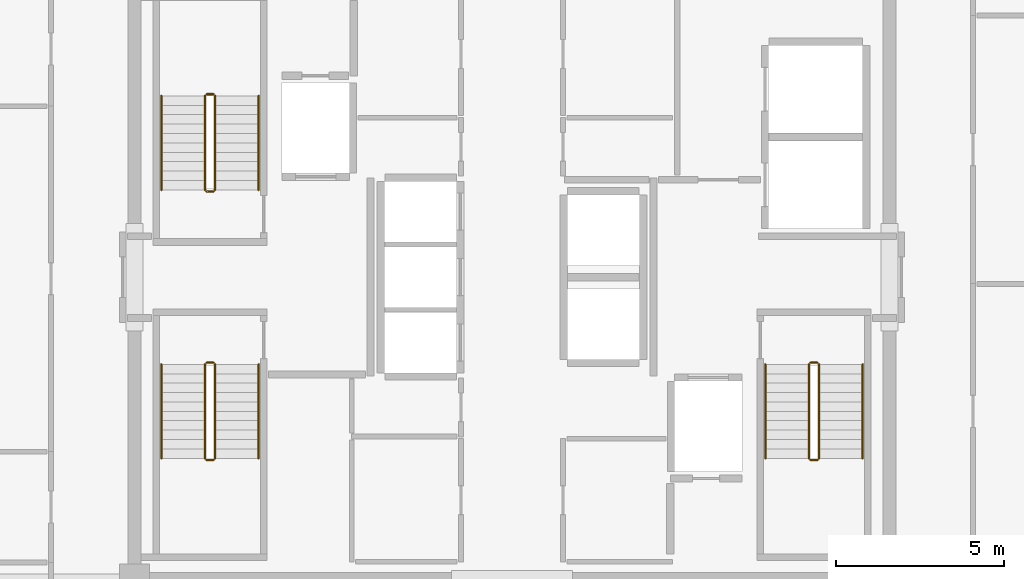
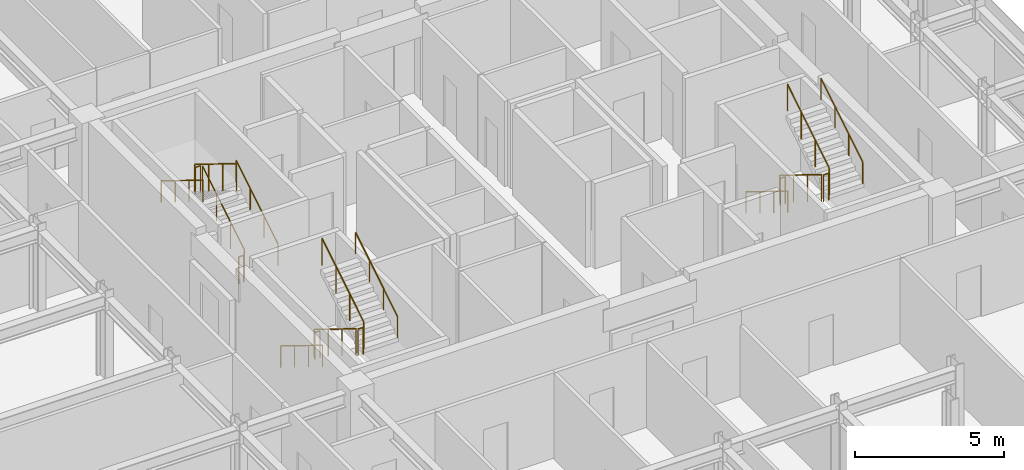
# One storey, part 16 of 16: 18 railings.
"""IFC4 building model written with IfcOpenShell, lengths in metres."""

from ifc_helpers import new_model, si_unit, direction, frame, origin, origin_2d, place, context, subcontext, project, spatial, circle, extrude, material, type_object, element, save


model = new_model("IFC4")

# Units and contexts
model_context = context("Model", 3, precision=1e-05, world=origin(), true_north=direction((0.0, 1.0)))
body_context = subcontext(model_context, "Body", "Model", "MODEL_VIEW")
ifc_project = project(units=[si_unit("LENGTHUNIT", "METRE"), si_unit("AREAUNIT", "SQUARE_METRE"), si_unit("VOLUMEUNIT", "CUBIC_METRE"), si_unit("PLANEANGLEUNIT", "RADIAN"), si_unit("MASSUNIT", "GRAM", prefix="KILO")], contexts=[model_context])

# Site, building, storey
site_placement = place(None, origin())
site = spatial("IfcSite", under=ifc_project, at=site_placement, CompositionType="ELEMENT")
building_placement = place(site_placement, origin())
building = spatial("IfcBuilding", under=site, at=building_placement, Name="Nefas-Gora Pilgrimage Tower", CompositionType="ELEMENT")
storey_placement = place(building_placement, frame((0.0, 0.0, 345.199951171875)))
storey = spatial("IfcBuildingStorey", under=building, at=storey_placement, Name="L87", CompositionType="ELEMENT", Elevation=345.199951171875)

# Railings
ifc_material_1 = material(Name="Painted galvanised steel", Category="steel")
railing_type_1 = type_object("IfcRailingType", Name="RLG-STR-GUARD-1100", PredefinedType="GUARDRAIL", material=ifc_material_1)
railing_1_placement = place(storey_placement, frame((-8.85009765625, 2.60009765625, 0.1728515625)))
element("IfcRailing", 1, at=railing_1_placement, inside=storey, type_object=railing_type_1, Name="L87 ST-01 stair guard 1", PredefinedType="GUARDRAIL", context=body_context, shape_type="SweptSolid", body=[
    extrude(circle(Radius=0.02392578125, at=origin_2d()), frame((0.0, 0.0, 1.09619140625), z_axis=(0.0, 0.851069175582, 0.525053576669), x_axis=(-1.0, 0.0, 0.0)), (0.0, 0.0, 1.0), 3.289794921875),
    extrude(circle(Radius=0.02099609375, at=origin_2d()), origin(), (0.0, 0.0, 1.0), 1.072021484375),
    extrude(circle(Radius=0.02099609375, at=origin_2d()), frame((0.0, 0.933349609375, 0.57568359375)), (0.0, 0.0, 1.0), 1.072021484375),
    extrude(circle(Radius=0.02099609375, at=origin_2d()), frame((0.0, 1.866455078125, 1.151611328125)), (0.0, 0.0, 1.0), 1.072021484375),
    extrude(circle(Radius=0.02099609375, at=origin_2d()), frame((0.0, 2.7998046875, 1.727294921875)), (0.0, 0.0, 1.0), 1.072021484375),
])
railing_2_placement = place(storey_placement, frame((-8.89990234375, 5.449951171875, 1.900146484375)))
element("IfcRailing", 2, at=railing_2_placement, inside=storey, type_object=railing_type_1, Name="L87 ST-01 stair guard 2", PredefinedType="GUARDRAIL", context=body_context, shape_type="SweptSolid", body=[
    extrude(circle(Radius=0.02392578125, at=origin_2d()), frame((0.0, 0.0, 1.09619140625), z_axis=(-1.0, 0.0, 0.0), x_axis=(0.0, -1.0, 0.0)), (0.0, 0.0, 1.0), 0.2001953125),
    extrude(circle(Radius=0.02099609375, at=origin_2d()), origin(), (0.0, 0.0, 1.0), 1.072021484375),
    extrude(circle(Radius=0.02099609375, at=origin_2d()), frame((-0.2001953125, 0.0, 0.0)), (0.0, 0.0, 1.0), 1.072021484375),
])
railing_3_placement = place(storey_placement, frame((-9.14990234375, 5.39990234375, 2.07275390625)))
element("IfcRailing", 3, at=railing_3_placement, inside=storey, type_object=railing_type_1, Name="L87 ST-01 stair guard 3", PredefinedType="GUARDRAIL", context=body_context, shape_type="SweptSolid", body=[
    extrude(circle(Radius=0.02392578125, at=origin_2d()), frame((0.0, 0.0, 1.09619140625), z_axis=(0.0, -0.851069175582, 0.525053576669), x_axis=(1.0, 0.0, 0.0)), (0.0, 0.0, 1.0), 3.289794921875),
    extrude(circle(Radius=0.02099609375, at=origin_2d()), origin(), (0.0, 0.0, 1.0), 1.072021484375),
    extrude(circle(Radius=0.02099609375, at=origin_2d()), frame((0.0, -0.933349609375, 0.57568359375)), (0.0, 0.0, 1.0), 1.072021484375),
    extrude(circle(Radius=0.02099609375, at=origin_2d()), frame((0.0, -1.866455078125, 1.151611328125)), (0.0, 0.0, 1.0), 1.072021484375),
    extrude(circle(Radius=0.02099609375, at=origin_2d()), frame((0.0, -2.7998046875, 1.727294921875)), (0.0, 0.0, 1.0), 1.072021484375),
])
railing_4_placement = place(storey_placement, frame((-8.89990234375, 2.550048828125, 0.0)))
element("IfcRailing", 4, at=railing_4_placement, inside=storey, type_object=railing_type_1, Name="L87 ST-01 stair guard 4", PredefinedType="GUARDRAIL", context=body_context, shape_type="SweptSolid", body=[
    extrude(circle(Radius=0.02392578125, at=origin_2d()), frame((0.0, 0.0, 1.09619140625), z_axis=(-1.0, 0.0, 0.0), x_axis=(0.0, -1.0, 0.0)), (0.0, 0.0, 1.0), 0.2001953125),
    extrude(circle(Radius=0.02099609375, at=origin_2d()), origin(), (0.0, 0.0, 1.0), 1.072021484375),
    extrude(circle(Radius=0.02099609375, at=origin_2d()), frame((-0.2001953125, 0.0, 0.0)), (0.0, 0.0, 1.0), 1.072021484375),
])
railing_5_placement = place(storey_placement, frame((8.85009765625, -2.60009765625, 0.1728515625)))
element("IfcRailing", 5, at=railing_5_placement, inside=storey, type_object=railing_type_1, Name="L87 ST-02 stair guard 1", PredefinedType="GUARDRAIL", context=body_context, shape_type="SweptSolid", body=[
    extrude(circle(Radius=0.02392578125, at=origin_2d()), frame((0.0, 0.0, 1.09619140625), z_axis=(0.0, -0.851069175582, 0.525053576669), x_axis=(1.0, 0.0, 0.0)), (0.0, 0.0, 1.0), 3.289794921875),
    extrude(circle(Radius=0.02099609375, at=origin_2d()), origin(), (0.0, 0.0, 1.0), 1.072021484375),
    extrude(circle(Radius=0.02099609375, at=origin_2d()), frame((0.0, -0.933349609375, 0.57568359375)), (0.0, 0.0, 1.0), 1.072021484375),
    extrude(circle(Radius=0.02099609375, at=origin_2d()), frame((0.0, -1.866455078125, 1.151611328125)), (0.0, 0.0, 1.0), 1.072021484375),
    extrude(circle(Radius=0.02099609375, at=origin_2d()), frame((0.0, -2.7998046875, 1.727294921875)), (0.0, 0.0, 1.0), 1.072021484375),
])
railing_6_placement = place(storey_placement, frame((8.89990234375, -5.449951171875, 1.900146484375)))
element("IfcRailing", 6, at=railing_6_placement, inside=storey, type_object=railing_type_1, Name="L87 ST-02 stair guard 2", PredefinedType="GUARDRAIL", context=body_context, shape_type="SweptSolid", body=[
    extrude(circle(Radius=0.02392578125, at=origin_2d()), frame((0.0, 0.0, 1.09619140625), z_axis=(1.0, 0.0, 0.0), x_axis=(0.0, 1.0, 0.0)), (0.0, 0.0, 1.0), 0.2001953125),
    extrude(circle(Radius=0.02099609375, at=origin_2d()), origin(), (0.0, 0.0, 1.0), 1.072021484375),
    extrude(circle(Radius=0.02099609375, at=origin_2d()), frame((0.2001953125, 0.0, 0.0)), (0.0, 0.0, 1.0), 1.072021484375),
])
railing_7_placement = place(storey_placement, frame((9.14990234375, -5.39990234375, 2.07275390625)))
element("IfcRailing", 7, at=railing_7_placement, inside=storey, type_object=railing_type_1, Name="L87 ST-02 stair guard 3", PredefinedType="GUARDRAIL", context=body_context, shape_type="SweptSolid", body=[
    extrude(circle(Radius=0.02392578125, at=origin_2d()), frame((0.0, 0.0, 1.09619140625), z_axis=(0.0, 0.851069175582, 0.525053576669), x_axis=(-1.0, 0.0, 0.0)), (0.0, 0.0, 1.0), 3.289794921875),
    extrude(circle(Radius=0.02099609375, at=origin_2d()), origin(), (0.0, 0.0, 1.0), 1.072021484375),
    extrude(circle(Radius=0.02099609375, at=origin_2d()), frame((0.0, 0.933349609375, 0.57568359375)), (0.0, 0.0, 1.0), 1.072021484375),
    extrude(circle(Radius=0.02099609375, at=origin_2d()), frame((0.0, 1.866455078125, 1.151611328125)), (0.0, 0.0, 1.0), 1.072021484375),
    extrude(circle(Radius=0.02099609375, at=origin_2d()), frame((0.0, 2.7998046875, 1.727294921875)), (0.0, 0.0, 1.0), 1.072021484375),
])
railing_8_placement = place(storey_placement, frame((8.89990234375, -2.550048828125, 0.0)))
element("IfcRailing", 8, at=railing_8_placement, inside=storey, type_object=railing_type_1, Name="L87 ST-02 stair guard 4", PredefinedType="GUARDRAIL", context=body_context, shape_type="SweptSolid", body=[
    extrude(circle(Radius=0.02392578125, at=origin_2d()), frame((0.0, 0.0, 1.09619140625), z_axis=(1.0, 0.0, 0.0), x_axis=(0.0, 1.0, 0.0)), (0.0, 0.0, 1.0), 0.2001953125),
    extrude(circle(Radius=0.02099609375, at=origin_2d()), origin(), (0.0, 0.0, 1.0), 1.072021484375),
    extrude(circle(Radius=0.02099609375, at=origin_2d()), frame((0.2001953125, 0.0, 0.0)), (0.0, 0.0, 1.0), 1.072021484375),
])
railing_9_placement = place(storey_placement, frame((-9.14990234375, -2.60009765625, 0.1728515625)))
element("IfcRailing", 9, at=railing_9_placement, inside=storey, type_object=railing_type_1, Name="L87 ST-03 stair guard 1", PredefinedType="GUARDRAIL", context=body_context, shape_type="SweptSolid", body=[
    extrude(circle(Radius=0.02392578125, at=origin_2d()), frame((0.0, 0.0, 1.09619140625), z_axis=(0.0, -0.851069175582, 0.525053576669), x_axis=(1.0, 0.0, 0.0)), (0.0, 0.0, 1.0), 3.289794921875),
    extrude(circle(Radius=0.02099609375, at=origin_2d()), origin(), (0.0, 0.0, 1.0), 1.072021484375),
    extrude(circle(Radius=0.02099609375, at=origin_2d()), frame((0.0, -0.933349609375, 0.57568359375)), (0.0, 0.0, 1.0), 1.072021484375),
    extrude(circle(Radius=0.02099609375, at=origin_2d()), frame((0.0, -1.866455078125, 1.151611328125)), (0.0, 0.0, 1.0), 1.072021484375),
    extrude(circle(Radius=0.02099609375, at=origin_2d()), frame((0.0, -2.7998046875, 1.727294921875)), (0.0, 0.0, 1.0), 1.072021484375),
])
railing_10_placement = place(storey_placement, frame((-9.10009765625, -5.449951171875, 1.900146484375)))
element("IfcRailing", 10, at=railing_10_placement, inside=storey, type_object=railing_type_1, Name="L87 ST-03 stair guard 2", PredefinedType="GUARDRAIL", context=body_context, shape_type="SweptSolid", body=[
    extrude(circle(Radius=0.02392578125, at=origin_2d()), frame((0.0, 0.0, 1.09619140625), z_axis=(1.0, 0.0, 0.0), x_axis=(0.0, 1.0, 0.0)), (0.0, 0.0, 1.0), 0.2001953125),
    extrude(circle(Radius=0.02099609375, at=origin_2d()), origin(), (0.0, 0.0, 1.0), 1.072021484375),
    extrude(circle(Radius=0.02099609375, at=origin_2d()), frame((0.2001953125, 0.0, 0.0)), (0.0, 0.0, 1.0), 1.072021484375),
])
railing_11_placement = place(storey_placement, frame((-8.85009765625, -5.39990234375, 2.07275390625)))
element("IfcRailing", 11, at=railing_11_placement, inside=storey, type_object=railing_type_1, Name="L87 ST-03 stair guard 3", PredefinedType="GUARDRAIL", context=body_context, shape_type="SweptSolid", body=[
    extrude(circle(Radius=0.02392578125, at=origin_2d()), frame((0.0, 0.0, 1.09619140625), z_axis=(0.0, 0.851069175582, 0.525053576669), x_axis=(-1.0, 0.0, 0.0)), (0.0, 0.0, 1.0), 3.289794921875),
    extrude(circle(Radius=0.02099609375, at=origin_2d()), origin(), (0.0, 0.0, 1.0), 1.072021484375),
    extrude(circle(Radius=0.02099609375, at=origin_2d()), frame((0.0, 0.933349609375, 0.57568359375)), (0.0, 0.0, 1.0), 1.072021484375),
    extrude(circle(Radius=0.02099609375, at=origin_2d()), frame((0.0, 1.866455078125, 1.151611328125)), (0.0, 0.0, 1.0), 1.072021484375),
    extrude(circle(Radius=0.02099609375, at=origin_2d()), frame((0.0, 2.7998046875, 1.727294921875)), (0.0, 0.0, 1.0), 1.072021484375),
])
railing_12_placement = place(storey_placement, frame((-9.10009765625, -2.550048828125, 0.0)))
element("IfcRailing", 12, at=railing_12_placement, inside=storey, type_object=railing_type_1, Name="L87 ST-03 stair guard 4", PredefinedType="GUARDRAIL", context=body_context, shape_type="SweptSolid", body=[
    extrude(circle(Radius=0.02392578125, at=origin_2d()), frame((0.0, 0.0, 1.09619140625), z_axis=(1.0, 0.0, 0.0), x_axis=(0.0, 1.0, 0.0)), (0.0, 0.0, 1.0), 0.2001953125),
    extrude(circle(Radius=0.02099609375, at=origin_2d()), origin(), (0.0, 0.0, 1.0), 1.072021484375),
    extrude(circle(Radius=0.02099609375, at=origin_2d()), frame((0.2001953125, 0.0, 0.0)), (0.0, 0.0, 1.0), 1.072021484375),
])
ifc_material_2 = material(Name="Brushed stainless steel", Category="steel")
railing_type_2 = type_object("IfcRailingType", Name="RLG-STR-HAND-900", PredefinedType="HANDRAIL", material=ifc_material_2)
railing_13_placement = place(storey_placement, frame((-7.550048828125, 2.60009765625, 0.1728515625)))
element("IfcRailing", 13, at=railing_13_placement, inside=storey, type_object=railing_type_2, Name="L87 ST-01 stair handrail 1", PredefinedType="HANDRAIL", context=body_context, shape_type="SweptSolid", body=[
    extrude(circle(Radius=0.02392578125, at=origin_2d()), frame((0.0, 0.0, 0.8759765625), z_axis=(0.0, 0.851069175582, 0.525053576669), x_axis=(-1.0, 0.0, 0.0)), (0.0, 0.0, 1.0), 3.289794921875),
    extrude(circle(Radius=0.02099609375, at=origin_2d()), origin(), (0.0, 0.0, 1.0), 0.851806640625),
    extrude(circle(Radius=0.02099609375, at=origin_2d()), frame((0.0, 0.933349609375, 0.57568359375)), (0.0, 0.0, 1.0), 0.851806640625),
    extrude(circle(Radius=0.02099609375, at=origin_2d()), frame((0.0, 1.866455078125, 1.151611328125)), (0.0, 0.0, 1.0), 0.851806640625),
    extrude(circle(Radius=0.02099609375, at=origin_2d()), frame((0.0, 2.7998046875, 1.727294921875)), (0.0, 0.0, 1.0), 0.851806640625),
])
for number, where, name in (
    (14, (-10.449951171875, 5.39990234375, 2.07275390625), "L87 ST-01 stair handrail 2"),
    (15, (7.550048828125, -2.60009765625, 0.1728515625), "L87 ST-02 stair handrail 1"),
):
    element("IfcRailing", number, at=place(storey_placement, frame(where)), inside=storey, type_object=railing_type_2, Name=name, PredefinedType="HANDRAIL", context=body_context, shape_type="SweptSolid", body=[
        extrude(circle(Radius=0.02392578125, at=origin_2d()), frame((0.0, 0.0, 0.8759765625), z_axis=(0.0, -0.851069175582, 0.525053576669), x_axis=(1.0, 0.0, 0.0)), (0.0, 0.0, 1.0), 3.289794921875),
        extrude(circle(Radius=0.02099609375, at=origin_2d()), origin(), (0.0, 0.0, 1.0), 0.851806640625),
        extrude(circle(Radius=0.02099609375, at=origin_2d()), frame((0.0, -0.933349609375, 0.57568359375)), (0.0, 0.0, 1.0), 0.851806640625),
        extrude(circle(Radius=0.02099609375, at=origin_2d()), frame((0.0, -1.866455078125, 1.151611328125)), (0.0, 0.0, 1.0), 0.851806640625),
        extrude(circle(Radius=0.02099609375, at=origin_2d()), frame((0.0, -2.7998046875, 1.727294921875)), (0.0, 0.0, 1.0), 0.851806640625),
    ])
railing_14_placement = place(storey_placement, frame((10.449951171875, -5.39990234375, 2.07275390625)))
element("IfcRailing", 16, at=railing_14_placement, inside=storey, type_object=railing_type_2, Name="L87 ST-02 stair handrail 2", PredefinedType="HANDRAIL", context=body_context, shape_type="SweptSolid", body=[
    extrude(circle(Radius=0.02392578125, at=origin_2d()), frame((0.0, 0.0, 0.8759765625), z_axis=(0.0, 0.851069175582, 0.525053576669), x_axis=(-1.0, 0.0, 0.0)), (0.0, 0.0, 1.0), 3.289794921875),
    extrude(circle(Radius=0.02099609375, at=origin_2d()), origin(), (0.0, 0.0, 1.0), 0.851806640625),
    extrude(circle(Radius=0.02099609375, at=origin_2d()), frame((0.0, 0.933349609375, 0.57568359375)), (0.0, 0.0, 1.0), 0.851806640625),
    extrude(circle(Radius=0.02099609375, at=origin_2d()), frame((0.0, 1.866455078125, 1.151611328125)), (0.0, 0.0, 1.0), 0.851806640625),
    extrude(circle(Radius=0.02099609375, at=origin_2d()), frame((0.0, 2.7998046875, 1.727294921875)), (0.0, 0.0, 1.0), 0.851806640625),
])
railing_15_placement = place(storey_placement, frame((-10.449951171875, -2.60009765625, 0.1728515625)))
element("IfcRailing", 17, at=railing_15_placement, inside=storey, type_object=railing_type_2, Name="L87 ST-03 stair handrail 1", PredefinedType="HANDRAIL", context=body_context, shape_type="SweptSolid", body=[
    extrude(circle(Radius=0.02392578125, at=origin_2d()), frame((0.0, 0.0, 0.8759765625), z_axis=(0.0, -0.851069175582, 0.525053576669), x_axis=(1.0, 0.0, 0.0)), (0.0, 0.0, 1.0), 3.289794921875),
    extrude(circle(Radius=0.02099609375, at=origin_2d()), origin(), (0.0, 0.0, 1.0), 0.851806640625),
    extrude(circle(Radius=0.02099609375, at=origin_2d()), frame((0.0, -0.933349609375, 0.57568359375)), (0.0, 0.0, 1.0), 0.851806640625),
    extrude(circle(Radius=0.02099609375, at=origin_2d()), frame((0.0, -1.866455078125, 1.151611328125)), (0.0, 0.0, 1.0), 0.851806640625),
    extrude(circle(Radius=0.02099609375, at=origin_2d()), frame((0.0, -2.7998046875, 1.727294921875)), (0.0, 0.0, 1.0), 0.851806640625),
])
railing_16_placement = place(storey_placement, frame((-7.550048828125, -5.39990234375, 2.07275390625)))
element("IfcRailing", 18, at=railing_16_placement, inside=storey, type_object=railing_type_2, Name="L87 ST-03 stair handrail 2", PredefinedType="HANDRAIL", context=body_context, shape_type="SweptSolid", body=[
    extrude(circle(Radius=0.02392578125, at=origin_2d()), frame((0.0, 0.0, 0.8759765625), z_axis=(0.0, 0.851069175582, 0.525053576669), x_axis=(-1.0, 0.0, 0.0)), (0.0, 0.0, 1.0), 3.289794921875),
    extrude(circle(Radius=0.02099609375, at=origin_2d()), origin(), (0.0, 0.0, 1.0), 0.851806640625),
    extrude(circle(Radius=0.02099609375, at=origin_2d()), frame((0.0, 0.933349609375, 0.57568359375)), (0.0, 0.0, 1.0), 0.851806640625),
    extrude(circle(Radius=0.02099609375, at=origin_2d()), frame((0.0, 1.866455078125, 1.151611328125)), (0.0, 0.0, 1.0), 0.851806640625),
    extrude(circle(Radius=0.02099609375, at=origin_2d()), frame((0.0, 2.7998046875, 1.727294921875)), (0.0, 0.0, 1.0), 0.851806640625),
])

save(model, "model.ifc")
